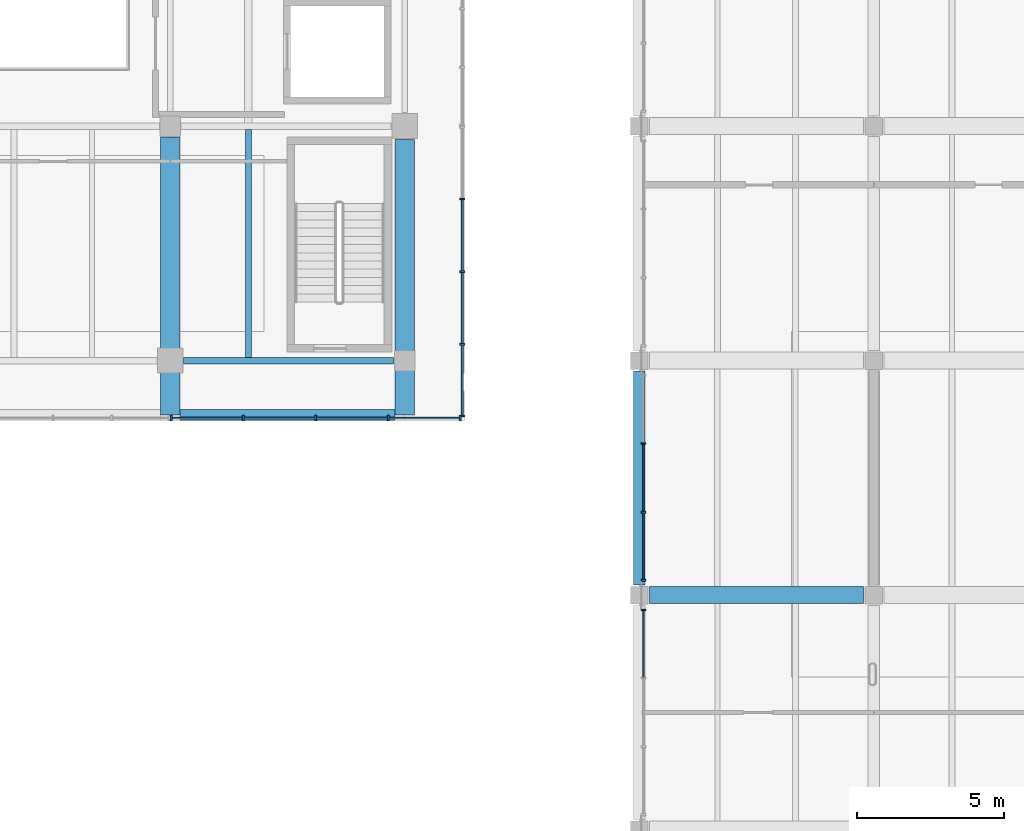
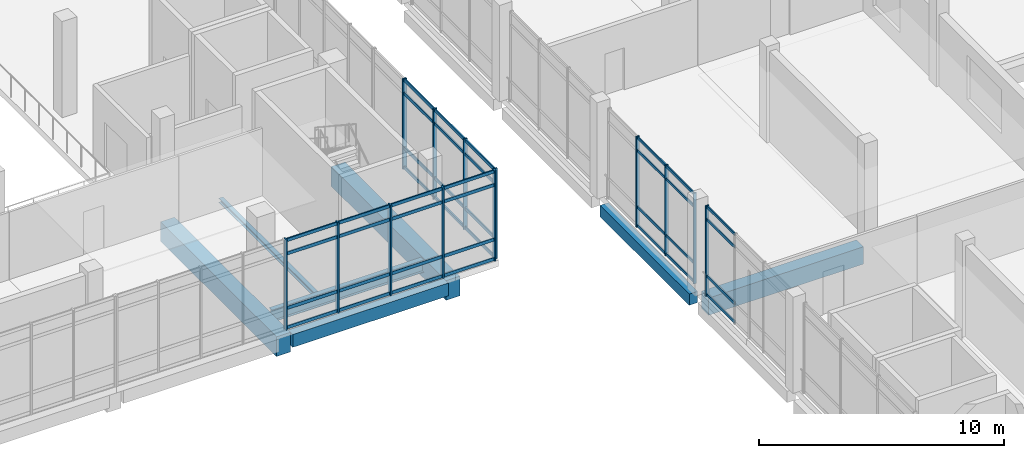
# One storey, part 16 of 47: 53 members, 7 beams, 4 elements without a shape of their own.
"""IFC4 building model written with IfcOpenShell, lengths in metres."""

from ifc_helpers import new_model, si_unit, direction, frame, origin, origin_2d, place, context, subcontext, project, spatial, rectangle, i_section, extrude, material, material_profile, profile_set, type_object, element, aggregate, save


model = new_model("IFC4")

# Units and contexts
model_context = context("Model", 3, precision=1e-05, world=origin(), true_north=direction((0.0, 1.0)))
body_context = subcontext(model_context, "Body", "Model", "MODEL_VIEW")
ifc_project = project(units=[si_unit("LENGTHUNIT", "METRE"), si_unit("AREAUNIT", "SQUARE_METRE"), si_unit("VOLUMEUNIT", "CUBIC_METRE"), si_unit("PLANEANGLEUNIT", "RADIAN"), si_unit("MASSUNIT", "GRAM", prefix="KILO")], contexts=[model_context])

# Site, building, storey
site_placement = place(None, origin())
site = spatial("IfcSite", under=ifc_project, at=site_placement, CompositionType="ELEMENT")
building_placement = place(site_placement, origin())
building = spatial("IfcBuilding", under=site, at=building_placement, Name="Pecanmere Concourse Central Library", CompositionType="ELEMENT")
storey_placement = place(building_placement, frame((0.0, 0.0, 15.300048828125)))
storey = spatial("IfcBuildingStorey", under=building, at=storey_placement, Name="L04", CompositionType="ELEMENT", Elevation=15.300048828125)

# Beam
ifc_material_1 = material(Name="Concrete C40/50", Category="concrete")
ifc_material_profile_1 = material_profile(ifc_material_1, rectangle(XDim=0.39990234375, YDim=0.56005859375, at=origin_2d()), Name="RC 400x560")
ifc_profile_set_1 = profile_set([ifc_material_profile_1], Name="Concrete C40/50")
beam_type_1 = type_object("IfcBeamType", Name="BM_400x560", PredefinedType="BEAM", material=ifc_profile_set_1)
beam_1_placement = place(storey_placement, frame((112.0, 82.35009765625, -0.60009765625), z_axis=(0.0, 1.0, 0.0), x_axis=(-1.0, 0.0, 0.0)))
element("IfcBeam", 1, at=beam_1_placement, inside=storey, type_object=beam_type_1, Name="Primary Girder Y L04-2293", PredefinedType="BEAM", context=body_context, shape_type="SweptSolid", body=[
    extrude(rectangle(XDim=0.39990234375, YDim=0.56005859375, at=origin_2d()), origin(), (0.0, 0.0, 1.0), 7.2998046875),
])

# Curtain wall, member
ifc_material_2 = material(Name="Clear anodized aluminium alloy 6063-T6", Category="aluminium")
curtain_wall_type_1 = type_object("IfcCurtainWallType", Name="CW_CLOISTER_GLAZ", PredefinedType="USERDEFINED", material=ifc_material_2)
curtain_wall_1_placement = place(storey_placement, origin())
curtain_wall_1 = element("IfcCurtainWall", 2, at=curtain_wall_1_placement, inside=storey, type_object=curtain_wall_type_1, Name="Unitised Curtain Wall CW-04 L04-145", ObjectType="UNITISED CURTAIN WALL", PredefinedType="USERDEFINED")
ifc_material_3 = material(Name="Clear anodized aluminium alloy 6063-T6", Category="aluminium")
ifc_material_profile_2 = material_profile(ifc_material_3, rectangle(XDim=0.06005859375, YDim=0.14990234375, at=origin_2d()), Name="AL 60x150")
ifc_profile_set_2 = profile_set([ifc_material_profile_2], Name="Clear anodized aluminium alloy 6063-T6")
member_type_1 = type_object("IfcMemberType", Name="CWM_150x60", PredefinedType="MULLION", material=ifc_profile_set_2)
member_1_placement = place(storey_placement, frame((112.14990234375, 81.489990234375, 0.0), z_axis=(0.0, 0.0, 1.0), x_axis=(0.0, -1.0, 0.0)))
member_1 = element("IfcMember", 3, at=member_1_placement, type_object=member_type_1, Name="CW-04 Mullion 1", PredefinedType="MULLION", context=body_context, shape_type="SweptSolid", body=[
    extrude(rectangle(XDim=0.06005859375, YDim=0.14990234375, at=origin_2d()), origin(), (0.0, 0.0, 1.0), 4.52001953125),
])

# Curtain wall, members
curtain_wall_2_placement = place(storey_placement, origin())
curtain_wall_2 = element("IfcCurtainWall", 4, at=curtain_wall_2_placement, inside=storey, type_object=curtain_wall_type_1, Name="Unitised Curtain Wall CW-04 L04-147", ObjectType="UNITISED CURTAIN WALL", PredefinedType="USERDEFINED")
member_2_placement = place(storey_placement, frame((112.14990234375, 87.17333984375, 0.0), z_axis=(0.0, 0.0, 1.0), x_axis=(0.0, -1.0, 0.0)))
member_2 = element("IfcMember", 5, at=member_2_placement, type_object=member_type_1, Name="CW-04 Mullion 2", PredefinedType="MULLION", context=body_context, shape_type="SweptSolid", body=[
    extrude(rectangle(XDim=0.06005859375, YDim=0.14990234375, at=origin_2d()), origin(), (0.0, 0.0, 1.0), 4.52001953125),
])
member_3_placement = place(storey_placement, frame((112.14990234375, 84.82666015625, 0.0), z_axis=(0.0, 0.0, 1.0), x_axis=(0.0, -1.0, 0.0)))
member_3 = element("IfcMember", 6, at=member_3_placement, type_object=member_type_1, Name="CW-04 Mullion 3", PredefinedType="MULLION", context=body_context, shape_type="SweptSolid", body=[
    extrude(rectangle(XDim=0.06005859375, YDim=0.14990234375, at=origin_2d()), origin(), (0.0, 0.0, 1.0), 4.52001953125),
])
member_4_placement = place(storey_placement, frame((112.14990234375, 82.510009765625, 0.0), z_axis=(0.0, 0.0, 1.0), x_axis=(0.0, -1.0, 0.0)))
member_4 = element("IfcMember", 7, at=member_4_placement, type_object=member_type_1, Name="CW-04 Mullion 4", PredefinedType="MULLION", context=body_context, shape_type="SweptSolid", body=[
    extrude(rectangle(XDim=0.06005859375, YDim=0.14990234375, at=origin_2d()), origin(), (0.0, 0.0, 1.0), 4.52001953125),
])

ifc_material_4 = material(Name="Anodized bronze aluminium alloy 6063-T6", Category="aluminium")
curtain_wall_type_2 = type_object("IfcCurtainWallType", Name="CW_PLUMB_BANDED", PredefinedType="USERDEFINED", material=ifc_material_4)
curtain_wall_3_placement = place(storey_placement, origin())
curtain_wall_3 = element("IfcCurtainWall", 8, at=curtain_wall_3_placement, inside=storey, type_object=curtain_wall_type_2, Name="Unitised Curtain Wall CW-02 L04-045", ObjectType="UNITISED CURTAIN WALL", PredefinedType="USERDEFINED")
ifc_material_5 = material(Name="Anodized bronze aluminium alloy 6063-T6", Category="aluminium")
ifc_material_profile_3 = material_profile(ifc_material_5, rectangle(XDim=0.06494140625, YDim=0.179931640625, at=origin_2d()), Name="AL 65x180")
ifc_profile_set_3 = profile_set([ifc_material_profile_3], Name="Anodized bronze aluminium alloy 6063-T6")
member_type_2 = type_object("IfcMemberType", Name="CWM_180x65", PredefinedType="MULLION", material=ifc_profile_set_3)
member_5_placement = place(storey_placement, frame((96.03759765625, 88.03857421875, 0.0), z_axis=(0.0, 0.0, 1.0), x_axis=(1.0, 0.0, 0.0)))
member_5 = element("IfcMember", 9, at=member_5_placement, type_object=member_type_2, Name="CW-02 Mullion 1", PredefinedType="MULLION", context=body_context, shape_type="SweptSolid", body=[
    extrude(rectangle(XDim=0.06494140625, YDim=0.179931640625, at=origin_2d()), origin(), (0.0, 0.0, 1.0), 4.52001953125),
])
member_6_placement = place(storey_placement, frame((98.484130859375, 88.03857421875, 0.0), z_axis=(0.0, 0.0, 1.0), x_axis=(1.0, 0.0, 0.0)))
member_6 = element("IfcMember", 10, at=member_6_placement, type_object=member_type_2, Name="CW-02 Mullion 2", PredefinedType="MULLION", context=body_context, shape_type="SweptSolid", body=[
    extrude(rectangle(XDim=0.06494140625, YDim=0.179931640625, at=origin_2d()), origin(), (0.0, 0.0, 1.0), 4.52001953125),
])
member_7_placement = place(storey_placement, frame((100.963134765625, 88.03857421875, 0.0), z_axis=(0.0, 0.0, 1.0), x_axis=(1.0, 0.0, 0.0)))
member_7 = element("IfcMember", 11, at=member_7_placement, type_object=member_type_2, Name="CW-02 Mullion 3", PredefinedType="MULLION", context=body_context, shape_type="SweptSolid", body=[
    extrude(rectangle(XDim=0.06494140625, YDim=0.179931640625, at=origin_2d()), origin(), (0.0, 0.0, 1.0), 4.52001953125),
])
member_8_placement = place(storey_placement, frame((103.4423828125, 88.03857421875, 0.0), z_axis=(0.0, 0.0, 1.0), x_axis=(1.0, 0.0, 0.0)))
member_8 = element("IfcMember", 12, at=member_8_placement, type_object=member_type_2, Name="CW-02 Mullion 4", PredefinedType="MULLION", context=body_context, shape_type="SweptSolid", body=[
    extrude(rectangle(XDim=0.06494140625, YDim=0.179931640625, at=origin_2d()), origin(), (0.0, 0.0, 1.0), 4.52001953125),
])
member_9_placement = place(storey_placement, frame((105.888916015625, 88.03857421875, 0.0), z_axis=(0.0, 0.0, 1.0), x_axis=(1.0, 0.0, 0.0)))
member_9 = element("IfcMember", 13, at=member_9_placement, type_object=member_type_2, Name="CW-02 Mullion 5", PredefinedType="MULLION", context=body_context, shape_type="SweptSolid", body=[
    extrude(rectangle(XDim=0.06494140625, YDim=0.179931640625, at=origin_2d()), origin(), (0.0, 0.0, 1.0), 4.52001953125),
])

curtain_wall_4_placement = place(storey_placement, origin())
curtain_wall_4 = element("IfcCurtainWall", 14, at=curtain_wall_4_placement, inside=storey, type_object=curtain_wall_type_2, Name="Unitised Curtain Wall CW-02 L04-046", ObjectType="UNITISED CURTAIN WALL", PredefinedType="USERDEFINED")
member_10_placement = place(storey_placement, frame((105.96142578125, 88.111083984375, 0.0), z_axis=(0.0, 0.0, 1.0), x_axis=(0.0, 1.0, 0.0)))
member_10 = element("IfcMember", 15, at=member_10_placement, type_object=member_type_2, Name="CW-02 Mullion 1", PredefinedType="MULLION", context=body_context, shape_type="SweptSolid", body=[
    extrude(rectangle(XDim=0.06494140625, YDim=0.179931640625, at=origin_2d()), origin(), (0.0, 0.0, 1.0), 4.52001953125),
])
member_11_placement = place(storey_placement, frame((105.96142578125, 90.5576171875, 0.0), z_axis=(0.0, 0.0, 1.0), x_axis=(0.0, 1.0, 0.0)))
member_11 = element("IfcMember", 16, at=member_11_placement, type_object=member_type_2, Name="CW-02 Mullion 2", PredefinedType="MULLION", context=body_context, shape_type="SweptSolid", body=[
    extrude(rectangle(XDim=0.06494140625, YDim=0.179931640625, at=origin_2d()), origin(), (0.0, 0.0, 1.0), 4.52001953125),
])
member_12_placement = place(storey_placement, frame((105.96142578125, 93.036865234375, 0.0), z_axis=(0.0, 0.0, 1.0), x_axis=(0.0, 1.0, 0.0)))
member_12 = element("IfcMember", 17, at=member_12_placement, type_object=member_type_2, Name="CW-02 Mullion 3", PredefinedType="MULLION", context=body_context, shape_type="SweptSolid", body=[
    extrude(rectangle(XDim=0.06494140625, YDim=0.179931640625, at=origin_2d()), origin(), (0.0, 0.0, 1.0), 4.52001953125),
])
member_13_placement = place(storey_placement, frame((105.96142578125, 95.515869140625, 0.0), z_axis=(0.0, 0.0, 1.0), x_axis=(0.0, 1.0, 0.0)))
member_13 = element("IfcMember", 18, at=member_13_placement, type_object=member_type_2, Name="CW-02 Mullion 4", PredefinedType="MULLION", context=body_context, shape_type="SweptSolid", body=[
    extrude(rectangle(XDim=0.06494140625, YDim=0.179931640625, at=origin_2d()), origin(), (0.0, 0.0, 1.0), 4.52001953125),
])

# Member
ifc_material_6 = material(Name="Clear anodized aluminium alloy 6063-T6", Category="aluminium")
ifc_material_profile_4 = material_profile(ifc_material_6, rectangle(XDim=0.054931640625, YDim=0.139892578125, at=origin_2d()), Name="AL 55x140")
ifc_profile_set_4 = profile_set([ifc_material_profile_4], Name="Clear anodized aluminium alloy 6063-T6")
member_type_3 = type_object("IfcMemberType", Name="CWT_140x55", PredefinedType="USERDEFINED", material=ifc_profile_set_4)
member_14_placement = place(storey_placement, frame((112.14990234375, 81.4599609375, 0.070068359375), z_axis=(0.0, -1.0, 0.0), x_axis=(1.0, 0.0, 0.0)))
member_14 = element("IfcMember", 19, at=member_14_placement, type_object=member_type_3, Name="CW-04 Transom 1.1", ObjectType="TRANSOM", PredefinedType="USERDEFINED", context=body_context, shape_type="SweptSolid", body=[
    extrude(rectangle(XDim=0.054931640625, YDim=0.139892578125, at=origin_2d()), origin(), (0.0, 0.0, 1.0), 2.256591796875),
])

member_15_placement = place(storey_placement, frame((112.14990234375, 81.4599609375, 1.0), z_axis=(0.0, -1.0, 0.0), x_axis=(1.0, 0.0, 0.0)))
member_15 = element("IfcMember", 20, at=member_15_placement, type_object=member_type_3, Name="CW-04 Transom 1.2", ObjectType="TRANSOM", PredefinedType="USERDEFINED", context=body_context, shape_type="SweptSolid", body=[
    extrude(rectangle(XDim=0.054931640625, YDim=0.139892578125, at=origin_2d()), origin(), (0.0, 0.0, 1.0), 2.256591796875),
])

member_16_placement = place(storey_placement, frame((112.14990234375, 81.4599609375, 3.820068359375), z_axis=(0.0, -1.0, 0.0), x_axis=(1.0, 0.0, 0.0)))
member_16 = element("IfcMember", 21, at=member_16_placement, type_object=member_type_3, Name="CW-04 Transom 1.3", ObjectType="TRANSOM", PredefinedType="USERDEFINED", context=body_context, shape_type="SweptSolid", body=[
    extrude(rectangle(XDim=0.054931640625, YDim=0.139892578125, at=origin_2d()), origin(), (0.0, 0.0, 1.0), 2.256591796875),
])

member_17_placement = place(storey_placement, frame((112.14990234375, 81.4599609375, 4.449951171875), z_axis=(0.0, -1.0, 0.0), x_axis=(1.0, 0.0, 0.0)))
member_17 = element("IfcMember", 22, at=member_17_placement, type_object=member_type_3, Name="CW-04 Transom 1.4", ObjectType="TRANSOM", PredefinedType="USERDEFINED", context=body_context, shape_type="SweptSolid", body=[
    extrude(rectangle(XDim=0.054931640625, YDim=0.139892578125, at=origin_2d()), origin(), (0.0, 0.0, 1.0), 2.256591796875),
])

aggregate(curtain_wall_1, [member_1, member_14, member_15, member_16, member_17])

member_18_placement = place(storey_placement, frame((112.14990234375, 87.143310546875, 0.070068359375), z_axis=(0.0, -1.0, 0.0), x_axis=(1.0, 0.0, 0.0)))
member_18 = element("IfcMember", 23, at=member_18_placement, type_object=member_type_3, Name="CW-04 Transom 2.1", ObjectType="TRANSOM", PredefinedType="USERDEFINED", context=body_context, shape_type="SweptSolid", body=[
    extrude(rectangle(XDim=0.054931640625, YDim=0.139892578125, at=origin_2d()), origin(), (0.0, 0.0, 1.0), 2.28662109375),
])

member_19_placement = place(storey_placement, frame((112.14990234375, 87.143310546875, 1.0), z_axis=(0.0, -1.0, 0.0), x_axis=(1.0, 0.0, 0.0)))
member_19 = element("IfcMember", 24, at=member_19_placement, type_object=member_type_3, Name="CW-04 Transom 2.2", ObjectType="TRANSOM", PredefinedType="USERDEFINED", context=body_context, shape_type="SweptSolid", body=[
    extrude(rectangle(XDim=0.054931640625, YDim=0.139892578125, at=origin_2d()), origin(), (0.0, 0.0, 1.0), 2.28662109375),
])

member_20_placement = place(storey_placement, frame((112.14990234375, 87.143310546875, 3.820068359375), z_axis=(0.0, -1.0, 0.0), x_axis=(1.0, 0.0, 0.0)))
member_20 = element("IfcMember", 25, at=member_20_placement, type_object=member_type_3, Name="CW-04 Transom 2.3", ObjectType="TRANSOM", PredefinedType="USERDEFINED", context=body_context, shape_type="SweptSolid", body=[
    extrude(rectangle(XDim=0.054931640625, YDim=0.139892578125, at=origin_2d()), origin(), (0.0, 0.0, 1.0), 2.28662109375),
])

member_21_placement = place(storey_placement, frame((112.14990234375, 87.143310546875, 4.449951171875), z_axis=(0.0, -1.0, 0.0), x_axis=(1.0, 0.0, 0.0)))
member_21 = element("IfcMember", 26, at=member_21_placement, type_object=member_type_3, Name="CW-04 Transom 2.4", ObjectType="TRANSOM", PredefinedType="USERDEFINED", context=body_context, shape_type="SweptSolid", body=[
    extrude(rectangle(XDim=0.054931640625, YDim=0.139892578125, at=origin_2d()), origin(), (0.0, 0.0, 1.0), 2.28662109375),
])

member_22_placement = place(storey_placement, frame((112.14990234375, 84.796630859375, 0.070068359375), z_axis=(0.0, -1.0, 0.0), x_axis=(1.0, 0.0, 0.0)))
member_22 = element("IfcMember", 27, at=member_22_placement, type_object=member_type_3, Name="CW-04 Transom 3.1", ObjectType="TRANSOM", PredefinedType="USERDEFINED", context=body_context, shape_type="SweptSolid", body=[
    extrude(rectangle(XDim=0.054931640625, YDim=0.139892578125, at=origin_2d()), origin(), (0.0, 0.0, 1.0), 2.256591796875),
])

member_23_placement = place(storey_placement, frame((112.14990234375, 84.796630859375, 1.0), z_axis=(0.0, -1.0, 0.0), x_axis=(1.0, 0.0, 0.0)))
member_23 = element("IfcMember", 28, at=member_23_placement, type_object=member_type_3, Name="CW-04 Transom 3.2", ObjectType="TRANSOM", PredefinedType="USERDEFINED", context=body_context, shape_type="SweptSolid", body=[
    extrude(rectangle(XDim=0.054931640625, YDim=0.139892578125, at=origin_2d()), origin(), (0.0, 0.0, 1.0), 2.256591796875),
])

member_24_placement = place(storey_placement, frame((112.14990234375, 84.796630859375, 3.820068359375), z_axis=(0.0, -1.0, 0.0), x_axis=(1.0, 0.0, 0.0)))
member_24 = element("IfcMember", 29, at=member_24_placement, type_object=member_type_3, Name="CW-04 Transom 3.3", ObjectType="TRANSOM", PredefinedType="USERDEFINED", context=body_context, shape_type="SweptSolid", body=[
    extrude(rectangle(XDim=0.054931640625, YDim=0.139892578125, at=origin_2d()), origin(), (0.0, 0.0, 1.0), 2.256591796875),
])

member_25_placement = place(storey_placement, frame((112.14990234375, 84.796630859375, 4.449951171875), z_axis=(0.0, -1.0, 0.0), x_axis=(1.0, 0.0, 0.0)))
member_25 = element("IfcMember", 30, at=member_25_placement, type_object=member_type_3, Name="CW-04 Transom 3.4", ObjectType="TRANSOM", PredefinedType="USERDEFINED", context=body_context, shape_type="SweptSolid", body=[
    extrude(rectangle(XDim=0.054931640625, YDim=0.139892578125, at=origin_2d()), origin(), (0.0, 0.0, 1.0), 2.256591796875),
])

aggregate(curtain_wall_2, [member_2, member_3, member_4, member_18, member_19, member_20, member_21, member_22, member_23, member_24, member_25])

ifc_material_7 = material(Name="Anodized bronze aluminium alloy 6063-T6", Category="aluminium")
ifc_material_profile_5 = material_profile(ifc_material_7, rectangle(XDim=0.06005859375, YDim=0.159912109375, at=origin_2d()), Name="AL 60x160")
ifc_profile_set_5 = profile_set([ifc_material_profile_5], Name="Anodized bronze aluminium alloy 6063-T6")
member_type_4 = type_object("IfcMemberType", Name="CWT_160x60", PredefinedType="USERDEFINED", material=ifc_profile_set_5)
member_26_placement = place(storey_placement, frame((96.070068359375, 88.03857421875, 0.079833984375), z_axis=(1.0, 0.0, 0.0), x_axis=(0.0, 1.0, 0.0)))
member_26 = element("IfcMember", 31, at=member_26_placement, type_object=member_type_4, Name="CW-02 Transom 1.1", ObjectType="TRANSOM", PredefinedType="USERDEFINED", context=body_context, shape_type="SweptSolid", body=[
    extrude(rectangle(XDim=0.06005859375, YDim=0.159912109375, at=origin_2d()), origin(), (0.0, 0.0, 1.0), 2.381591796875),
])

member_27_placement = place(storey_placement, frame((96.070068359375, 88.03857421875, 1.050048828125), z_axis=(1.0, 0.0, 0.0), x_axis=(0.0, 1.0, 0.0)))
member_27 = element("IfcMember", 32, at=member_27_placement, type_object=member_type_4, Name="CW-02 Transom 1.2", ObjectType="TRANSOM", PredefinedType="USERDEFINED", context=body_context, shape_type="SweptSolid", body=[
    extrude(rectangle(XDim=0.06005859375, YDim=0.159912109375, at=origin_2d()), origin(), (0.0, 0.0, 1.0), 2.381591796875),
])

member_28_placement = place(storey_placement, frame((96.070068359375, 88.03857421875, 3.77001953125), z_axis=(1.0, 0.0, 0.0), x_axis=(0.0, 1.0, 0.0)))
member_28 = element("IfcMember", 33, at=member_28_placement, type_object=member_type_4, Name="CW-02 Transom 1.3", ObjectType="TRANSOM", PredefinedType="USERDEFINED", context=body_context, shape_type="SweptSolid", body=[
    extrude(rectangle(XDim=0.06005859375, YDim=0.159912109375, at=origin_2d()), origin(), (0.0, 0.0, 1.0), 2.381591796875),
])

member_29_placement = place(storey_placement, frame((96.070068359375, 88.03857421875, 4.43994140625), z_axis=(1.0, 0.0, 0.0), x_axis=(0.0, 1.0, 0.0)))
member_29 = element("IfcMember", 34, at=member_29_placement, type_object=member_type_4, Name="CW-02 Transom 1.4", ObjectType="TRANSOM", PredefinedType="USERDEFINED", context=body_context, shape_type="SweptSolid", body=[
    extrude(rectangle(XDim=0.06005859375, YDim=0.159912109375, at=origin_2d()), origin(), (0.0, 0.0, 1.0), 2.381591796875),
])

member_30_placement = place(storey_placement, frame((98.5166015625, 88.03857421875, 0.079833984375), z_axis=(1.0, 0.0, 0.0), x_axis=(0.0, 1.0, 0.0)))
member_30 = element("IfcMember", 35, at=member_30_placement, type_object=member_type_4, Name="CW-02 Transom 2.1", ObjectType="TRANSOM", PredefinedType="USERDEFINED", context=body_context, shape_type="SweptSolid", body=[
    extrude(rectangle(XDim=0.06005859375, YDim=0.159912109375, at=origin_2d()), origin(), (0.0, 0.0, 1.0), 2.4140625),
])

member_31_placement = place(storey_placement, frame((98.5166015625, 88.03857421875, 1.050048828125), z_axis=(1.0, 0.0, 0.0), x_axis=(0.0, 1.0, 0.0)))
member_31 = element("IfcMember", 36, at=member_31_placement, type_object=member_type_4, Name="CW-02 Transom 2.2", ObjectType="TRANSOM", PredefinedType="USERDEFINED", context=body_context, shape_type="SweptSolid", body=[
    extrude(rectangle(XDim=0.06005859375, YDim=0.159912109375, at=origin_2d()), origin(), (0.0, 0.0, 1.0), 2.4140625),
])

member_32_placement = place(storey_placement, frame((98.5166015625, 88.03857421875, 3.77001953125), z_axis=(1.0, 0.0, 0.0), x_axis=(0.0, 1.0, 0.0)))
member_32 = element("IfcMember", 37, at=member_32_placement, type_object=member_type_4, Name="CW-02 Transom 2.3", ObjectType="TRANSOM", PredefinedType="USERDEFINED", context=body_context, shape_type="SweptSolid", body=[
    extrude(rectangle(XDim=0.06005859375, YDim=0.159912109375, at=origin_2d()), origin(), (0.0, 0.0, 1.0), 2.4140625),
])

member_33_placement = place(storey_placement, frame((98.5166015625, 88.03857421875, 4.43994140625), z_axis=(1.0, 0.0, 0.0), x_axis=(0.0, 1.0, 0.0)))
member_33 = element("IfcMember", 38, at=member_33_placement, type_object=member_type_4, Name="CW-02 Transom 2.4", ObjectType="TRANSOM", PredefinedType="USERDEFINED", context=body_context, shape_type="SweptSolid", body=[
    extrude(rectangle(XDim=0.06005859375, YDim=0.159912109375, at=origin_2d()), origin(), (0.0, 0.0, 1.0), 2.4140625),
])

member_34_placement = place(storey_placement, frame((100.995849609375, 88.03857421875, 0.079833984375), z_axis=(1.0, 0.0, 0.0), x_axis=(0.0, 1.0, 0.0)))
member_34 = element("IfcMember", 39, at=member_34_placement, type_object=member_type_4, Name="CW-02 Transom 3.1", ObjectType="TRANSOM", PredefinedType="USERDEFINED", context=body_context, shape_type="SweptSolid", body=[
    extrude(rectangle(XDim=0.06005859375, YDim=0.159912109375, at=origin_2d()), origin(), (0.0, 0.0, 1.0), 2.4140625),
])

member_35_placement = place(storey_placement, frame((100.995849609375, 88.03857421875, 1.050048828125), z_axis=(1.0, 0.0, 0.0), x_axis=(0.0, 1.0, 0.0)))
member_35 = element("IfcMember", 40, at=member_35_placement, type_object=member_type_4, Name="CW-02 Transom 3.2", ObjectType="TRANSOM", PredefinedType="USERDEFINED", context=body_context, shape_type="SweptSolid", body=[
    extrude(rectangle(XDim=0.06005859375, YDim=0.159912109375, at=origin_2d()), origin(), (0.0, 0.0, 1.0), 2.4140625),
])

member_36_placement = place(storey_placement, frame((100.995849609375, 88.03857421875, 3.77001953125), z_axis=(1.0, 0.0, 0.0), x_axis=(0.0, 1.0, 0.0)))
member_36 = element("IfcMember", 41, at=member_36_placement, type_object=member_type_4, Name="CW-02 Transom 3.3", ObjectType="TRANSOM", PredefinedType="USERDEFINED", context=body_context, shape_type="SweptSolid", body=[
    extrude(rectangle(XDim=0.06005859375, YDim=0.159912109375, at=origin_2d()), origin(), (0.0, 0.0, 1.0), 2.4140625),
])

member_37_placement = place(storey_placement, frame((100.995849609375, 88.03857421875, 4.43994140625), z_axis=(1.0, 0.0, 0.0), x_axis=(0.0, 1.0, 0.0)))
member_37 = element("IfcMember", 42, at=member_37_placement, type_object=member_type_4, Name="CW-02 Transom 3.4", ObjectType="TRANSOM", PredefinedType="USERDEFINED", context=body_context, shape_type="SweptSolid", body=[
    extrude(rectangle(XDim=0.06005859375, YDim=0.159912109375, at=origin_2d()), origin(), (0.0, 0.0, 1.0), 2.4140625),
])

member_38_placement = place(storey_placement, frame((103.474853515625, 88.03857421875, 0.079833984375), z_axis=(1.0, 0.0, 0.0), x_axis=(0.0, 1.0, 0.0)))
member_38 = element("IfcMember", 43, at=member_38_placement, type_object=member_type_4, Name="CW-02 Transom 4.1", ObjectType="TRANSOM", PredefinedType="USERDEFINED", context=body_context, shape_type="SweptSolid", body=[
    extrude(rectangle(XDim=0.06005859375, YDim=0.159912109375, at=origin_2d()), origin(), (0.0, 0.0, 1.0), 2.381591796875),
])

member_39_placement = place(storey_placement, frame((103.474853515625, 88.03857421875, 1.050048828125), z_axis=(1.0, 0.0, 0.0), x_axis=(0.0, 1.0, 0.0)))
member_39 = element("IfcMember", 44, at=member_39_placement, type_object=member_type_4, Name="CW-02 Transom 4.2", ObjectType="TRANSOM", PredefinedType="USERDEFINED", context=body_context, shape_type="SweptSolid", body=[
    extrude(rectangle(XDim=0.06005859375, YDim=0.159912109375, at=origin_2d()), origin(), (0.0, 0.0, 1.0), 2.381591796875),
])

member_40_placement = place(storey_placement, frame((103.474853515625, 88.03857421875, 3.77001953125), z_axis=(1.0, 0.0, 0.0), x_axis=(0.0, 1.0, 0.0)))
member_40 = element("IfcMember", 45, at=member_40_placement, type_object=member_type_4, Name="CW-02 Transom 4.3", ObjectType="TRANSOM", PredefinedType="USERDEFINED", context=body_context, shape_type="SweptSolid", body=[
    extrude(rectangle(XDim=0.06005859375, YDim=0.159912109375, at=origin_2d()), origin(), (0.0, 0.0, 1.0), 2.381591796875),
])

member_41_placement = place(storey_placement, frame((103.474853515625, 88.03857421875, 4.43994140625), z_axis=(1.0, 0.0, 0.0), x_axis=(0.0, 1.0, 0.0)))
member_41 = element("IfcMember", 46, at=member_41_placement, type_object=member_type_4, Name="CW-02 Transom 4.4", ObjectType="TRANSOM", PredefinedType="USERDEFINED", context=body_context, shape_type="SweptSolid", body=[
    extrude(rectangle(XDim=0.06005859375, YDim=0.159912109375, at=origin_2d()), origin(), (0.0, 0.0, 1.0), 2.381591796875),
])

aggregate(curtain_wall_3, [member_5, member_6, member_7, member_8, member_9, member_26, member_27, member_28, member_29, member_30, member_31, member_32, member_33, member_34, member_35, member_36, member_37, member_38, member_39, member_40, member_41])

member_42_placement = place(storey_placement, frame((105.96142578125, 88.1435546875, 0.079833984375), z_axis=(0.0, 1.0, 0.0), x_axis=(-1.0, 0.0, 0.0)))
member_42 = element("IfcMember", 47, at=member_42_placement, type_object=member_type_4, Name="CW-02 Transom 1.1", ObjectType="TRANSOM", PredefinedType="USERDEFINED", context=body_context, shape_type="SweptSolid", body=[
    extrude(rectangle(XDim=0.06005859375, YDim=0.159912109375, at=origin_2d()), origin(), (0.0, 0.0, 1.0), 2.381591796875),
])

member_43_placement = place(storey_placement, frame((105.96142578125, 88.1435546875, 1.050048828125), z_axis=(0.0, 1.0, 0.0), x_axis=(-1.0, 0.0, 0.0)))
member_43 = element("IfcMember", 48, at=member_43_placement, type_object=member_type_4, Name="CW-02 Transom 1.2", ObjectType="TRANSOM", PredefinedType="USERDEFINED", context=body_context, shape_type="SweptSolid", body=[
    extrude(rectangle(XDim=0.06005859375, YDim=0.159912109375, at=origin_2d()), origin(), (0.0, 0.0, 1.0), 2.381591796875),
])

member_44_placement = place(storey_placement, frame((105.96142578125, 88.1435546875, 3.77001953125), z_axis=(0.0, 1.0, 0.0), x_axis=(-1.0, 0.0, 0.0)))
member_44 = element("IfcMember", 49, at=member_44_placement, type_object=member_type_4, Name="CW-02 Transom 1.3", ObjectType="TRANSOM", PredefinedType="USERDEFINED", context=body_context, shape_type="SweptSolid", body=[
    extrude(rectangle(XDim=0.06005859375, YDim=0.159912109375, at=origin_2d()), origin(), (0.0, 0.0, 1.0), 2.381591796875),
])

member_45_placement = place(storey_placement, frame((105.96142578125, 88.1435546875, 4.43994140625), z_axis=(0.0, 1.0, 0.0), x_axis=(-1.0, 0.0, 0.0)))
member_45 = element("IfcMember", 50, at=member_45_placement, type_object=member_type_4, Name="CW-02 Transom 1.4", ObjectType="TRANSOM", PredefinedType="USERDEFINED", context=body_context, shape_type="SweptSolid", body=[
    extrude(rectangle(XDim=0.06005859375, YDim=0.159912109375, at=origin_2d()), origin(), (0.0, 0.0, 1.0), 2.381591796875),
])

member_46_placement = place(storey_placement, frame((105.96142578125, 90.590087890625, 0.079833984375), z_axis=(0.0, 1.0, 0.0), x_axis=(-1.0, 0.0, 0.0)))
member_46 = element("IfcMember", 51, at=member_46_placement, type_object=member_type_4, Name="CW-02 Transom 2.1", ObjectType="TRANSOM", PredefinedType="USERDEFINED", context=body_context, shape_type="SweptSolid", body=[
    extrude(rectangle(XDim=0.06005859375, YDim=0.159912109375, at=origin_2d()), origin(), (0.0, 0.0, 1.0), 2.4140625),
])

member_47_placement = place(storey_placement, frame((105.96142578125, 90.590087890625, 1.050048828125), z_axis=(0.0, 1.0, 0.0), x_axis=(-1.0, 0.0, 0.0)))
member_47 = element("IfcMember", 52, at=member_47_placement, type_object=member_type_4, Name="CW-02 Transom 2.2", ObjectType="TRANSOM", PredefinedType="USERDEFINED", context=body_context, shape_type="SweptSolid", body=[
    extrude(rectangle(XDim=0.06005859375, YDim=0.159912109375, at=origin_2d()), origin(), (0.0, 0.0, 1.0), 2.4140625),
])

member_48_placement = place(storey_placement, frame((105.96142578125, 90.590087890625, 3.77001953125), z_axis=(0.0, 1.0, 0.0), x_axis=(-1.0, 0.0, 0.0)))
member_48 = element("IfcMember", 53, at=member_48_placement, type_object=member_type_4, Name="CW-02 Transom 2.3", ObjectType="TRANSOM", PredefinedType="USERDEFINED", context=body_context, shape_type="SweptSolid", body=[
    extrude(rectangle(XDim=0.06005859375, YDim=0.159912109375, at=origin_2d()), origin(), (0.0, 0.0, 1.0), 2.4140625),
])

member_49_placement = place(storey_placement, frame((105.96142578125, 90.590087890625, 4.43994140625), z_axis=(0.0, 1.0, 0.0), x_axis=(-1.0, 0.0, 0.0)))
member_49 = element("IfcMember", 54, at=member_49_placement, type_object=member_type_4, Name="CW-02 Transom 2.4", ObjectType="TRANSOM", PredefinedType="USERDEFINED", context=body_context, shape_type="SweptSolid", body=[
    extrude(rectangle(XDim=0.06005859375, YDim=0.159912109375, at=origin_2d()), origin(), (0.0, 0.0, 1.0), 2.4140625),
])

member_50_placement = place(storey_placement, frame((105.96142578125, 93.0693359375, 0.079833984375), z_axis=(0.0, 1.0, 0.0), x_axis=(-1.0, 0.0, 0.0)))
member_50 = element("IfcMember", 55, at=member_50_placement, type_object=member_type_4, Name="CW-02 Transom 3.1", ObjectType="TRANSOM", PredefinedType="USERDEFINED", context=body_context, shape_type="SweptSolid", body=[
    extrude(rectangle(XDim=0.06005859375, YDim=0.159912109375, at=origin_2d()), origin(), (0.0, 0.0, 1.0), 2.4140625),
])

member_51_placement = place(storey_placement, frame((105.96142578125, 93.0693359375, 1.050048828125), z_axis=(0.0, 1.0, 0.0), x_axis=(-1.0, 0.0, 0.0)))
member_51 = element("IfcMember", 56, at=member_51_placement, type_object=member_type_4, Name="CW-02 Transom 3.2", ObjectType="TRANSOM", PredefinedType="USERDEFINED", context=body_context, shape_type="SweptSolid", body=[
    extrude(rectangle(XDim=0.06005859375, YDim=0.159912109375, at=origin_2d()), origin(), (0.0, 0.0, 1.0), 2.4140625),
])

member_52_placement = place(storey_placement, frame((105.96142578125, 93.0693359375, 3.77001953125), z_axis=(0.0, 1.0, 0.0), x_axis=(-1.0, 0.0, 0.0)))
member_52 = element("IfcMember", 57, at=member_52_placement, type_object=member_type_4, Name="CW-02 Transom 3.3", ObjectType="TRANSOM", PredefinedType="USERDEFINED", context=body_context, shape_type="SweptSolid", body=[
    extrude(rectangle(XDim=0.06005859375, YDim=0.159912109375, at=origin_2d()), origin(), (0.0, 0.0, 1.0), 2.4140625),
])

member_53_placement = place(storey_placement, frame((105.96142578125, 93.0693359375, 4.43994140625), z_axis=(0.0, 1.0, 0.0), x_axis=(-1.0, 0.0, 0.0)))
member_53 = element("IfcMember", 58, at=member_53_placement, type_object=member_type_4, Name="CW-02 Transom 3.4", ObjectType="TRANSOM", PredefinedType="USERDEFINED", context=body_context, shape_type="SweptSolid", body=[
    extrude(rectangle(XDim=0.06005859375, YDim=0.159912109375, at=origin_2d()), origin(), (0.0, 0.0, 1.0), 2.4140625),
])

aggregate(curtain_wall_4, [member_10, member_11, member_12, member_13, member_42, member_43, member_44, member_45, member_46, member_47, member_48, member_49, member_50, member_51, member_52, member_53])

# Beams
ifc_material_8 = material(Name="Concrete C40/50", Category="concrete")
ifc_material_profile_6 = material_profile(ifc_material_8, rectangle(XDim=0.580078125, YDim=0.860107421875, at=origin_2d()), Name="RC 580x860")
ifc_profile_set_6 = profile_set([ifc_material_profile_6], Name="Concrete C40/50")
beam_type_2 = type_object("IfcBeamType", Name="GRD_580x860", PredefinedType="USERDEFINED", material=ifc_profile_set_6)
beam_2_placement = place(storey_placement, frame((112.35009765625, 82.0, -0.75), z_axis=(1.0, 0.0, 0.0), x_axis=(0.0, 1.0, 0.0)))
element("IfcBeam", 59, at=beam_2_placement, inside=storey, type_object=beam_type_2, Name="Primary Girder X L04-2177", ObjectType="GIRDER", PredefinedType="USERDEFINED", context=body_context, shape_type="SweptSolid", body=[
    extrude(rectangle(XDim=0.580078125, YDim=0.860107421875, at=origin_2d()), origin(), (0.0, 0.0, 1.0), 7.2998046875),
])
ifc_material_9 = material(Name="Concrete C40/50", Category="concrete")
ifc_material_profile_7 = material_profile(ifc_material_9, rectangle(XDim=0.659912109375, YDim=0.97998046875, at=origin_2d()), Name="RC 660x980")
ifc_profile_set_7 = profile_set([ifc_material_profile_7], Name="Concrete C40/50")
beam_type_3 = type_object("IfcBeamType", Name="GRD_660x980", PredefinedType="USERDEFINED", material=ifc_profile_set_7)
beam_3_placement = place(storey_placement, frame((96.0, 88.1484375, -0.81005859375), z_axis=(0.0, 1.0, 0.0), x_axis=(-1.0, 0.0, 0.0)))
element("IfcBeam", 60, at=beam_3_placement, inside=storey, type_object=beam_type_3, Name="Primary Girder Y L04-2281", ObjectType="GIRDER", PredefinedType="USERDEFINED", context=body_context, shape_type="SweptSolid", body=[
    extrude(rectangle(XDim=0.659912109375, YDim=0.97998046875, at=origin_2d()), origin(), (0.0, 0.0, 1.0), 9.4765625),
])
beam_4_placement = place(storey_placement, frame((104.0, 88.1484375, -0.81005859375), z_axis=(0.0, 1.0, 0.0), x_axis=(-1.0, 0.0, 0.0)))
element("IfcBeam", 61, at=beam_4_placement, inside=storey, type_object=beam_type_3, Name="Primary Girder Y L04-2285", ObjectType="GIRDER", PredefinedType="USERDEFINED", context=body_context, shape_type="SweptSolid", body=[
    extrude(rectangle(XDim=0.659912109375, YDim=0.97998046875, at=origin_2d()), origin(), (0.0, 0.0, 1.0), 9.3916015625),
])
ifc_material_10 = material(Name="Structural steel ASTM A992 Grade 50", Category="steel")
ifc_material_profile_8 = material_profile(ifc_material_10, i_section(OverallWidth=0.2041015625, OverallDepth=0.2060546875, WebThickness=0.0078125, FlangeThickness=0.0126953125, at=origin_2d()), Name="W200x52")
ifc_profile_set_8 = profile_set([ifc_material_profile_8], Name="Structural steel ASTM A992 Grade 50")
beam_type_4 = type_object("IfcBeamType", Name="SBM_W200x52", PredefinedType="JOIST", material=ifc_profile_set_8)
beam_5_placement = place(storey_placement, frame((98.666748046875, 90.114990234375, -0.423095703125), z_axis=(0.0, 1.0, 0.0), x_axis=(-1.0, 0.0, 0.0)))
element("IfcBeam", 62, at=beam_5_placement, inside=storey, type_object=beam_type_4, Name="Secondary Floor Joist L04-2395", PredefinedType="JOIST", context=body_context, shape_type="SweptSolid", body=[
    extrude(i_section(OverallWidth=0.2041015625, OverallDepth=0.2060546875, WebThickness=0.0078125, FlangeThickness=0.0126953125, at=origin_2d()), origin(), (0.0, 0.0, 1.0), 7.77001953125),
])
ifc_material_11 = material(Name="Structural steel ASTM A992 Grade 50", Category="steel")
ifc_material_profile_9 = material_profile(ifc_material_11, i_section(OverallWidth=0.22998046875, OverallDepth=0.616943359375, WebThickness=0.01318359375, FlangeThickness=0.022216796875, at=origin_2d()), Name="W610x140")
ifc_profile_set_9 = profile_set([ifc_material_profile_9], Name="Structural steel ASTM A992 Grade 50")
beam_type_5 = type_object("IfcBeamType", Name="SBM_W610x140", PredefinedType="USERDEFINED", material=ifc_profile_set_9)
beam_6_placement = place(storey_placement, frame((96.4599609375, 90.0, -0.628662109375), z_axis=(1.0, 0.0, 0.0), x_axis=(0.0, 1.0, 0.0)))
element("IfcBeam", 63, at=beam_6_placement, inside=storey, type_object=beam_type_5, Name="Primary Girder X L04-2186", ObjectType="GIRDER", PredefinedType="USERDEFINED", context=body_context, shape_type="SweptSolid", body=[
    extrude(i_section(OverallWidth=0.22998046875, OverallDepth=0.616943359375, WebThickness=0.01318359375, FlangeThickness=0.022216796875, at=origin_2d()), origin(), (0.0, 0.0, 1.0), 7.1650390625),
])
ifc_material_12 = material(Name="Concrete C40/50", Category="concrete")
ifc_material_profile_10 = material_profile(ifc_material_12, rectangle(XDim=0.3798828125, YDim=0.639892578125, at=origin_2d()), Name="RC 380x640")
ifc_profile_set_10 = profile_set([ifc_material_profile_10], Name="Concrete C40/50")
beam_type_6 = type_object("IfcBeamType", Name="SPB_380x640", PredefinedType="BEAM", material=ifc_profile_set_10)
beam_7_placement = place(storey_placement, frame((96.330078125, 88.1484375, -0.64013671875), z_axis=(1.0, 0.0, 0.0), x_axis=(0.0, 1.0, 0.0)))
element("IfcBeam", 64, at=beam_7_placement, inside=storey, type_object=beam_type_6, Name="Leaning Facade Edge Beam L04-2341", PredefinedType="BEAM", context=body_context, shape_type="SweptSolid", body=[
    extrude(rectangle(XDim=0.3798828125, YDim=0.639892578125, at=origin_2d()), origin(), (0.0, 0.0, 1.0), 7.33984375),
])

save(model, "model.ifc")
